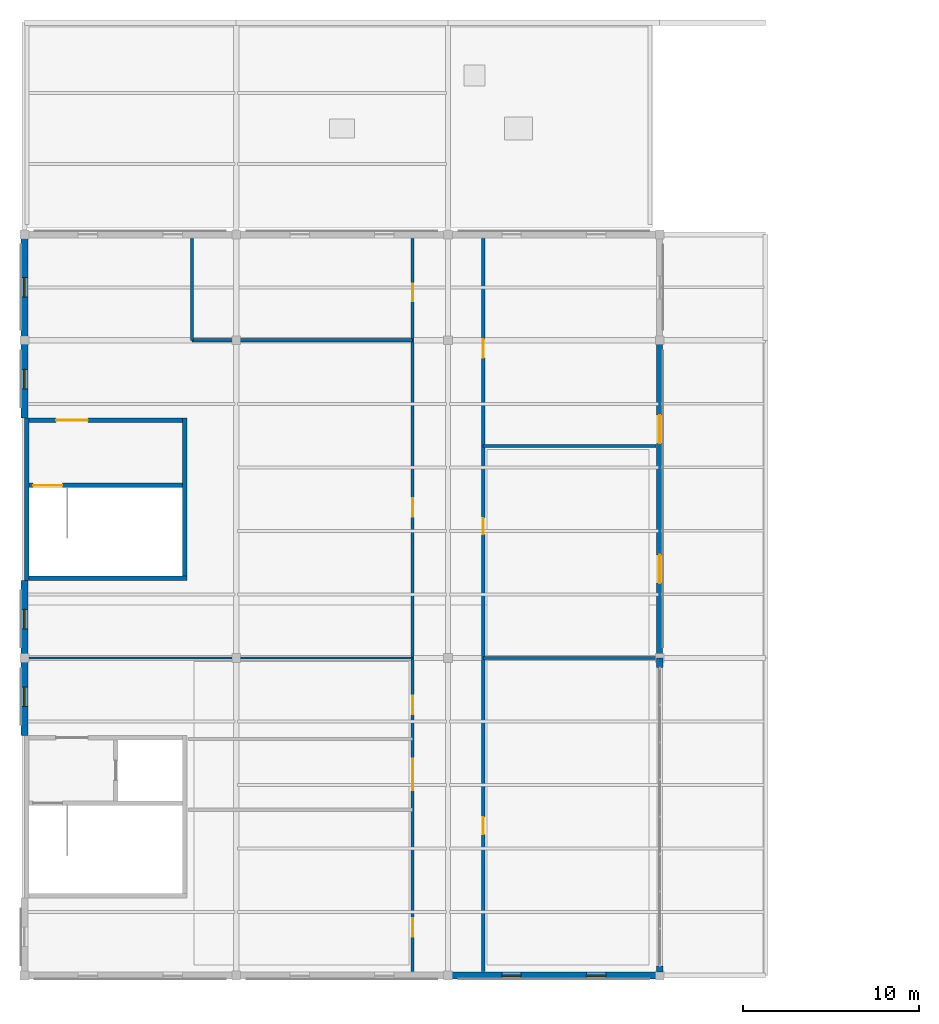
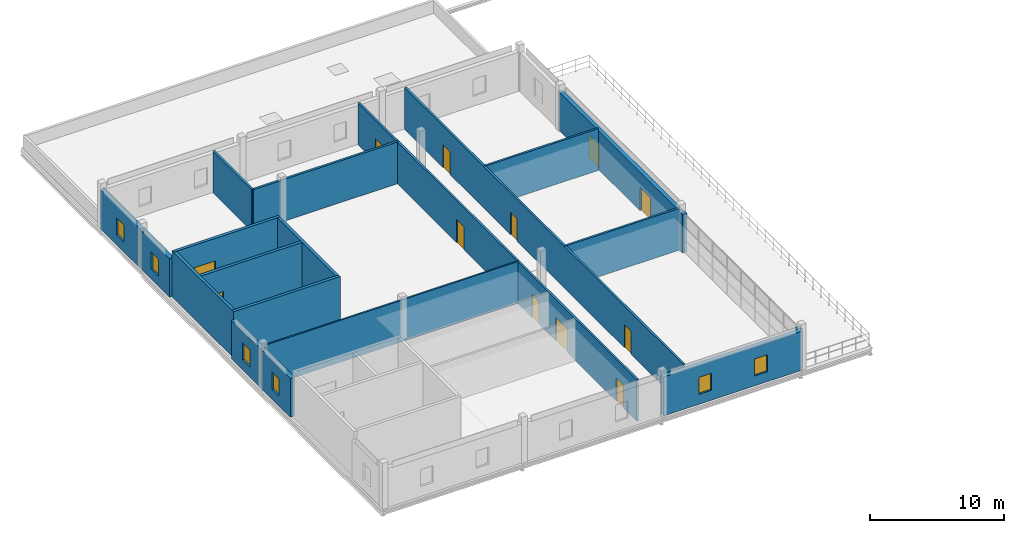
# One storey, part 9 of 11: 20 walls, 12 doors, 6 windows, 18 openings.
"""IFC4 building model written with IfcOpenShell, lengths in metres."""

import ifcopenshell
import ifcopenshell.guid

model = None  # the IFC model being written
_history = None  # IfcOwnerHistory: only IFC2X3 demands one
_inside = {}  # id of a spatial element -> (the spatial element, [elements in it])
_under = {}  # id of a project, library or spatial element -> (it, [spatial elements below it])
_declared = {}  # id of a project -> (the project, [libraries it declares])
_typed = {}  # id of a type object -> (the type object, [elements of that type])
_made_of = {}  # id of a material, layer set ... -> (it, [elements and type objects made of it])


def new_model(schema):
    """Start an empty IFC model of exactly this schema.

    Asked for "IFC4X3", IfcOpenShell would pick the latest addendum, in which some entities
    have other attributes; the version numbers below select the first issue.
    IFC2X3 requires an IfcOwnerHistory on every rooted entity: one is made here for all.
    """
    global model, _history
    if schema == "IFC4X3":
        model = ifcopenshell.file(schema_version=(4, 3, 0, 0))
    else:
        model = ifcopenshell.file(schema=schema)
    _inside.clear()
    _under.clear()
    _declared.clear()
    _typed.clear()
    _made_of.clear()
    _history = None
    if model.schema == "IFC2X3":
        org = make("IfcOrganization", Name="unknown")
        user = make(
            "IfcPersonAndOrganization",
            ThePerson=make("IfcPerson", FamilyName="unknown"),
            TheOrganization=org,
        )
        app = make(
            "IfcApplication",
            ApplicationDeveloper=org,
            Version="unknown",
            ApplicationFullName="unknown",
            ApplicationIdentifier="unknown",
        )
        _history = make(
            "IfcOwnerHistory",
            OwningUser=user,
            OwningApplication=app,
            ChangeAction="ADDED",
            CreationDate=0,
        )
    return model


def make(cls, **values):
    """One entity of the class cls with the attributes given. An attribute that is None is left unset."""
    return model.create_entity(
        cls, **{name: value for name, value in values.items() if value is not None}
    )


def rooted(cls, **values):
    """An entity with a GlobalId (a new one), such as an element, a storey or a relation."""
    return make(cls, GlobalId=ifcopenshell.guid.new(), OwnerHistory=_history, **values)


def si_unit(unit_type, name, prefix=None):
    """IfcSIUnit, for example si_unit("LENGTHUNIT", "METRE", prefix="MILLI")."""
    return make("IfcSIUnit", UnitType=unit_type, Prefix=prefix, Name=name)


def assignment(units):
    """IfcUnitAssignment: the units of a project."""
    return None if units is None else make("IfcUnitAssignment", Units=units)


def point(xyz):
    """IfcCartesianPoint."""
    return None if xyz is None else make("IfcCartesianPoint", Coordinates=xyz)


def direction(xyz):
    """IfcDirection."""
    return None if xyz is None else make("IfcDirection", DirectionRatios=xyz)


def frame(location, z_axis=None, x_axis=None):
    """IfcAxis2Placement3D, a coordinate frame: its origin and axes. An axis left out is left unset."""
    return make(
        "IfcAxis2Placement3D",
        Location=point(location),
        Axis=direction(z_axis),
        RefDirection=direction(x_axis),
    )


def frame_2d(location, x_axis=None):
    """IfcAxis2Placement2D, a coordinate frame in the plane: its origin and x axis."""
    return make(
        "IfcAxis2Placement2D", Location=point(location), RefDirection=direction(x_axis)
    )


def origin():
    """The frame at (0, 0, 0) with its axes left unset."""
    return frame((0.0, 0.0, 0.0))


def place(relative_to, where):
    """IfcLocalPlacement: puts the frame where relative to a parent placement (None: the world)."""
    return make(
        "IfcLocalPlacement", PlacementRelTo=relative_to, RelativePlacement=where
    )


def context(
    kind, dimensions, precision=None, world=None, true_north=None, identifier=None
):
    """IfcGeometricRepresentationContext, for example the 3D "Model" context."""
    return make(
        "IfcGeometricRepresentationContext",
        ContextIdentifier=identifier,
        ContextType=kind,
        CoordinateSpaceDimension=dimensions,
        Precision=precision,
        WorldCoordinateSystem=world,
        TrueNorth=true_north,
    )


def subcontext(parent, identifier, kind, view, scale=None):
    """IfcGeometricRepresentationSubContext, for example "Body" below "Model"."""
    return make(
        "IfcGeometricRepresentationSubContext",
        ContextIdentifier=identifier,
        ContextType=kind,
        ParentContext=parent,
        TargetScale=scale,
        TargetView=view,
    )


def project(units=None, contexts=None):
    """IfcProject with its units and contexts."""
    return rooted(
        "IfcProject",
        Name="project",
        RepresentationContexts=contexts,
        UnitsInContext=assignment(units),
    )


def spatial(cls, under=None, at=None, **own):
    """A site, building, storey or space (cls), placed at a placement, below another one or the project."""
    s = rooted(cls, ObjectPlacement=at, **own)
    if under is not None:
        _under.setdefault(under.id(), (under, []))[1].append(s)
    return s


def profile(cls, at=None, kind="AREA", **sizes):
    """A parametric profile (cls). Its sizes go by their IFC names, for example OverallWidth=200.0."""
    return make(cls, ProfileType=kind, Position=at, **sizes)


def rectangle(**sizes):
    """IfcRectangleProfileDef."""
    return profile("IfcRectangleProfileDef", **sizes)


def extrude(swept, where, along, depth):
    """IfcExtrudedAreaSolid: the profile swept, set in the frame where, extruded along a direction by depth."""
    return make(
        "IfcExtrudedAreaSolid",
        SweptArea=swept,
        Position=where,
        ExtrudedDirection=direction(along),
        Depth=depth,
    )


def shape(context_of_items, identifier, shape_type, items):
    """IfcShapeRepresentation: the items that make up one representation, for example the "Body"."""
    return make(
        "IfcShapeRepresentation",
        ContextOfItems=context_of_items,
        RepresentationIdentifier=identifier,
        RepresentationType=shape_type,
        Items=items,
    )


def material(Name=None, Category=None):
    """IfcMaterial."""
    return make("IfcMaterial", Name=Name, Category=Category)


def layer(
    of_material, thickness, ventilated=None, Name=None, Category=None, Priority=None
):
    """IfcMaterialLayer: one layer of a wall or slab, of a material (None: an air gap)."""
    return make(
        "IfcMaterialLayer",
        Material=of_material,
        LayerThickness=thickness,
        IsVentilated=ventilated,
        Name=Name,
        Category=Category,
        Priority=Priority,
    )


def layer_set(layers, Name=None):
    """IfcMaterialLayerSet."""
    return make("IfcMaterialLayerSet", MaterialLayers=layers, LayerSetName=Name)


def made_of(thing, what):
    """Note that an element or type object is made of a material, layer set ...; save() writes the relation."""
    if what is not None:
        _made_of.setdefault(what.id(), (what, []))[1].append(thing)
    return thing


def type_object(cls, material=None, **own):
    """A type object (cls), such as IfcWallType, which elements share."""
    return made_of(rooted(cls, **own), material)


def element(
    cls,
    number,
    at=None,
    inside=None,
    cuts=None,
    type_object=None,
    material=None,
    context=None,
    identifier="Body",
    shape_type=None,
    held_by="IfcProductDefinitionShape",
    body=None,
    shapes=None,
    **own,
):
    """One element of the class cls, such as IfcWall. Its Tag is "e" and its number.

    at: its placement. inside: the storey or other place that contains it. cuts: it is an
    opening in that element (IfcRelVoidsElement). A single representation is given by context,
    identifier, shape_type and body (its items); several are given by shapes. held_by: the class
    of the entity that holds the representations. save() writes the other relations.
    """
    e = rooted(cls, Tag="e%d" % number, ObjectPlacement=at, **own)
    if body is not None:
        shapes = [shape(context, identifier, shape_type, body)]
    if shapes is not None:
        e.Representation = make(held_by, Representations=shapes)
    if inside is not None:
        _inside.setdefault(inside.id(), (inside, []))[1].append(e)
    if cuts is not None:
        rooted(
            "IfcRelVoidsElement", RelatingBuildingElement=cuts, RelatedOpeningElement=e
        )
    if type_object is not None:
        _typed.setdefault(type_object.id(), (type_object, []))[1].append(e)
    return made_of(e, material)


def fill(opening, filler):
    """IfcRelFillsElement: the door or window that sits in an opening."""
    return rooted(
        "IfcRelFillsElement",
        RelatingOpeningElement=opening,
        RelatedBuildingElement=filler,
    )


def aggregate(whole, parts):
    """IfcRelAggregates: a whole, such as a stair, and the parts it consists of."""
    return rooted("IfcRelAggregates", RelatingObject=whole, RelatedObjects=parts)


def save(model, path):
    """Write the relations noted so far, then the file.

    IfcRelAggregates (storeys below a building ...), IfcRelContainedInSpatialStructure (elements
    in a storey), IfcRelDefinesByType, IfcRelAssociatesMaterial and IfcRelDeclares: one each for
    every whole, place, type object, material and project.
    """
    for whole, parts in _under.values():
        aggregate(whole, parts)
    for where, things in _inside.values():
        rooted(
            "IfcRelContainedInSpatialStructure",
            RelatedElements=things,
            RelatingStructure=where,
        )
    for kind, things in _typed.values():
        rooted("IfcRelDefinesByType", RelatedObjects=things, RelatingType=kind)
    for what, things in _made_of.values():
        rooted("IfcRelAssociatesMaterial", RelatedObjects=things, RelatingMaterial=what)
    for by, libraries in _declared.values():
        rooted("IfcRelDeclares", RelatingContext=by, RelatedDefinitions=libraries)
    model.write(path)


model = new_model("IFC4")

# Units and contexts
model_context = context("Model", 3, precision=1e-05, world=origin(), true_north=direction((0.0, 1.0)))
body_context = subcontext(model_context, "Body", "Model", "MODEL_VIEW")
ifc_project = project(units=[si_unit("LENGTHUNIT", "METRE"), si_unit("AREAUNIT", "SQUARE_METRE"), si_unit("VOLUMEUNIT", "CUBIC_METRE"), si_unit("PLANEANGLEUNIT", "RADIAN"), si_unit("MASSUNIT", "GRAM", prefix="KILO")], contexts=[model_context])

# Site, building, storey
site_placement = place(None, origin())
site = spatial("IfcSite", under=ifc_project, at=site_placement, CompositionType="ELEMENT")
building_placement = place(site_placement, origin())
building = spatial("IfcBuilding", under=site, at=building_placement, Name="Zilviju Railside Exhibition Hall", CompositionType="ELEMENT")
storey_placement = place(building_placement, frame((0.0, 0.0, 16.800048828125)))
storey = spatial("IfcBuildingStorey", under=building, at=storey_placement, Name="L05", CompositionType="ELEMENT", Elevation=16.800048828125)

# Walls
ifc_material_1 = material(Name="Concrete C35/45", Category="concrete")
ifc_layer_1 = layer(ifc_material_1, 0.25)
ifc_layer_set_1 = layer_set([ifc_layer_1], Name="Concrete C35/45")
wall_type_1 = type_object("IfcWallType", Name="WL-CORE-250", PredefinedType="SHEAR", material=ifc_layer_set_1)
wall_1_placement = place(storey_placement, frame((0.0, 106.52490234375, 0.0), z_axis=(0.0, 0.0, 1.0), x_axis=(1.0, 0.0, 0.0)))
element("IfcWall", 1, at=wall_1_placement, inside=storey, type_object=wall_type_1, Name="Core C16 Organisers Wing North Stairwell Outer Wall L05", PredefinedType="SHEAR", context=body_context, shape_type="SweptSolid", body=[
    extrude(rectangle(XDim=9.199951171875, YDim=0.25, at=frame_2d((4.60009765625, 0.0))), origin(), (0.0, 0.0, 1.0), 4.199951171875),
])
wall_2_placement = place(storey_placement, frame((9.074951171875, 106.39990234375, 0.0), z_axis=(0.0, 0.0, 1.0), x_axis=(0.0, 1.0, 0.0)))
element("IfcWall", 2, at=wall_2_placement, inside=storey, type_object=wall_type_1, Name="Core C16 Organisers Wing North Core Rear Wall L05", PredefinedType="SHEAR", context=body_context, shape_type="SweptSolid", body=[
    extrude(rectangle(XDim=9.2001953125, YDim=0.25, at=frame_2d((4.60009765625, 0.0))), origin(), (0.0, 0.0, 1.0), 4.199951171875),
])

# Wall, opening, door
wall_3_placement = place(storey_placement, frame((0.0, 115.47509765625, 0.0), z_axis=(0.0, 0.0, 1.0), x_axis=(1.0, 0.0, 0.0)))
wall_3 = element("IfcWall", 3, at=wall_3_placement, inside=storey, type_object=wall_type_1, Name="Core C16 Organisers Wing North Lobby Side Wall L05", PredefinedType="SHEAR", context=body_context, shape_type="SweptSolid", body=[
    extrude(rectangle(XDim=9.199951171875, YDim=0.25, at=frame_2d((4.60009765625, 0.0))), origin(), (0.0, 0.0, 1.0), 4.199951171875),
])
opening_1_placement = place(wall_3_placement, frame((1.800048828125, 0.0, 0.0)))
opening_1 = element("IfcOpeningElement", 4, at=opening_1_placement, cuts=wall_3, Name="Opening FD-02", PredefinedType="OPENING", context=body_context, shape_type="SweptSolid", body=[
    extrude(rectangle(XDim=1.800048828125, YDim=2.14990234375, at=frame_2d((0.89990234375, 1.074951171875))), frame((0.0, 0.135009765625, 0.0), z_axis=(0.0, -1.0, 0.0), x_axis=(1.0, 0.0, 0.0)), (0.0, 0.0, 1.0), 0.27001953125),
])
ifc_material_2 = material(Name="Self-closing glazed steel core lobby fire door EI 60", Category="steel")
door_type_1 = type_object("IfcDoorType", Name="DR-LOBBY-180x215", OperationType="NOTDEFINED", PredefinedType="DOOR", material=ifc_material_2)
door_1_placement = place(opening_1_placement, origin())
door_1 = element("IfcDoor", 5, at=door_1_placement, inside=storey, type_object=door_type_1, Name="Core C16 Organisers Wing North Lobby Fire Door L05", OperationType="DOUBLE_DOOR_SINGLE_SWING", OverallHeight=2.14990234375, OverallWidth=1.800048828125, PredefinedType="DOOR", context=body_context, shape_type="SweptSolid", body=[
    extrude(rectangle(XDim=1.800048828125, YDim=2.14990234375, at=frame_2d((0.89990234375, 1.074951171875))), frame((0.0, 0.02490234375, 0.0), z_axis=(0.0, -1.0, 0.0), x_axis=(1.0, 0.0, 0.0)), (0.0, 0.0, 1.0), 0.050048828125),
])
fill(opening_1, door_1)

wall_4_placement = place(storey_placement, frame((0.25, 111.77490234375, 0.0), z_axis=(0.0, 0.0, 1.0), x_axis=(1.0, 0.0, 0.0)))
wall_4 = element("IfcWall", 6, at=wall_4_placement, inside=storey, type_object=wall_type_1, Name="Core C16 Organisers Wing North Stairwell Partition Wall L05", PredefinedType="SHEAR", context=body_context, shape_type="SweptSolid", body=[
    extrude(rectangle(XDim=8.699951171875, YDim=0.25, at=frame_2d((4.35009765625, 0.0))), origin(), (0.0, 0.0, 1.0), 4.199951171875),
])
opening_2_placement = place(wall_4_placement, frame((0.25, 0.0, 0.0)))
opening_2 = element("IfcOpeningElement", 7, at=opening_2_placement, cuts=wall_4, Name="Opening FD-01", PredefinedType="OPENING", context=body_context, shape_type="SweptSolid", body=[
    extrude(rectangle(XDim=1.64990234375, YDim=2.10009765625, at=frame_2d((0.824951171875, 1.050048828125))), frame((0.0, 0.135009765625, 0.0), z_axis=(0.0, -1.0, 0.0), x_axis=(1.0, 0.0, 0.0)), (0.0, 0.0, 1.0), 0.27001953125),
])
ifc_material_3 = material(Name="Self-closing steel stair enclosure fire door EI 60", Category="steel")
door_type_2 = type_object("IfcDoorType", Name="DR-STAIR-165x210", OperationType="NOTDEFINED", PredefinedType="DOOR", material=ifc_material_3)
door_2_placement = place(opening_2_placement, origin())
door_2 = element("IfcDoor", 8, at=door_2_placement, inside=storey, type_object=door_type_2, Name="Core C16 Organisers Wing North Protected Stair Door L05", OperationType="SINGLE_SWING_RIGHT", OverallHeight=2.10009765625, OverallWidth=1.64990234375, PredefinedType="DOOR", context=body_context, shape_type="SweptSolid", body=[
    extrude(rectangle(XDim=1.64990234375, YDim=2.10009765625, at=frame_2d((0.824951171875, 1.050048828125))), frame((0.0, 0.02490234375, 0.0), z_axis=(0.0, -1.0, 0.0), x_axis=(1.0, 0.0, 0.0)), (0.0, 0.0, 1.0), 0.050048828125),
])
fill(opening_2, door_2)

# Wall
ifc_material_4 = material(Name="Concrete C40/50", Category="concrete")
ifc_layer_2 = layer(ifc_material_4, 0.25)
ifc_layer_set_2 = layer_set([ifc_layer_2], Name="Concrete C40/50")
wall_type_2 = type_object("IfcWallType", Name="WL-CORE-300", PredefinedType="SHEAR", material=ifc_layer_set_2)
wall_5_placement = place(storey_placement, frame((0.125, 106.39990234375, 0.0), z_axis=(0.0, 0.0, 1.0), x_axis=(0.0, 1.0, 0.0)))
element("IfcWall", 9, at=wall_5_placement, inside=storey, type_object=wall_type_2, Name="Core C16 Organisers Wing North Exterior Core Wall L05", PredefinedType="SHEAR", context=body_context, shape_type="SweptSolid", body=[
    extrude(rectangle(XDim=9.2001953125, YDim=0.25, at=frame_2d((4.60009765625, 0.0))), origin(), (0.0, 0.0, 1.0), 4.199951171875),
])

# Wall, openings, doors
ifc_material_5 = material(Name="Insulated terrace foyer masonry wall", Category="masonry")
ifc_layer_3 = layer(ifc_material_5, 0.340087890625)
ifc_layer_set_3 = layer_set([ifc_layer_3], Name="Insulated terrace foyer masonry wall")
wall_type_3 = type_object("IfcWallType", Name="WL-EXT-340", PredefinedType="SOLIDWALL", material=ifc_layer_set_3)
wall_6_placement = place(storey_placement, frame((36.0, 120.0, 0.0), z_axis=(0.0, 0.0, 1.0), x_axis=(0.0, -1.0, 0.0)))
wall_6 = element("IfcWall", 10, at=wall_6_placement, inside=storey, type_object=wall_type_3, Name="Exterior Facade Wall L05 East 0513", PredefinedType="SOLIDWALL", context=body_context, shape_type="SweptSolid", body=[
    extrude(rectangle(XDim=18.0, YDim=0.340087890625, at=frame_2d((9.0, 0.0))), origin(), (0.0, 0.0, 1.0), 3.52490234375),
])
opening_3_placement = place(wall_6_placement, frame((4.239990234375, 0.0, 0.0)))
opening_3 = element("IfcOpeningElement", 11, at=opening_3_placement, cuts=wall_6, Name="Opening TD-02", PredefinedType="OPENING", context=body_context, shape_type="SweptSolid", body=[
    extrude(rectangle(XDim=1.60009765625, YDim=2.14990234375, at=frame_2d((0.800048828125, 1.074951171875))), frame((0.0, 0.179931640625, 0.0), z_axis=(0.0, -1.0, 0.0), x_axis=(1.0, 0.0, 0.0)), (0.0, 0.0, 1.0), 0.360107421875),
])
opening_4_placement = place(wall_6_placement, frame((12.159912109375, 0.0, 0.0)))
opening_4 = element("IfcOpeningElement", 12, at=opening_4_placement, cuts=wall_6, Name="Opening TD-02", PredefinedType="OPENING", context=body_context, shape_type="SweptSolid", body=[
    extrude(rectangle(XDim=1.60009765625, YDim=2.14990234375, at=frame_2d((0.800048828125, 1.074951171875))), frame((0.0, 0.179931640625, 0.0), z_axis=(0.0, -1.0, 0.0), x_axis=(1.0, 0.0, 0.0)), (0.0, 0.0, 1.0), 0.360107421875),
])
ifc_material_6 = material(Name="Triple-glazed terrace lounge door", Category="steel")
door_type_3 = type_object("IfcDoorType", Name="DR-EXT-TERR-160x215", OperationType="NOTDEFINED", PredefinedType="DOOR", material=ifc_material_6)
door_3_placement = place(opening_3_placement, origin())
door_3 = element("IfcDoor", 13, at=door_3_placement, inside=storey, type_object=door_type_3, Name="Directorate L05 East Roof Garden Door TD-V5-L05", OperationType="DOUBLE_DOOR_SINGLE_SWING", OverallHeight=2.14990234375, OverallWidth=1.60009765625, PredefinedType="DOOR", context=body_context, shape_type="SweptSolid", body=[
    extrude(rectangle(XDim=1.60009765625, YDim=2.14990234375, at=frame_2d((0.800048828125, 1.074951171875))), frame((0.0, 0.02490234375, 0.0), z_axis=(0.0, -1.0, 0.0), x_axis=(1.0, 0.0, 0.0)), (0.0, 0.0, 1.0), 0.050048828125),
])
fill(opening_3, door_3)
door_4_placement = place(opening_4_placement, origin())
door_4 = element("IfcDoor", 14, at=door_4_placement, inside=storey, type_object=door_type_3, Name="Directorate L05 East Roof Garden Door TD-V5-L05", OperationType="DOUBLE_DOOR_SINGLE_SWING", OverallHeight=2.14990234375, OverallWidth=1.60009765625, PredefinedType="DOOR", context=body_context, shape_type="SweptSolid", body=[
    extrude(rectangle(XDim=1.60009765625, YDim=2.14990234375, at=frame_2d((0.800048828125, 1.074951171875))), frame((0.0, 0.02490234375, 0.0), z_axis=(0.0, -1.0, 0.0), x_axis=(1.0, 0.0, 0.0)), (0.0, 0.0, 1.0), 0.050048828125),
])
fill(opening_4, door_4)

# Wall, opening, window
ifc_material_7 = material(Name="Insulated cream-brick upper facade wall", Category="masonry")
ifc_layer_4 = layer(ifc_material_7, 0.3798828125)
ifc_layer_set_4 = layer_set([ifc_layer_4], Name="Insulated cream-brick upper facade wall")
wall_type_4 = type_object("IfcWallType", Name="WL-EXT-380", PredefinedType="SOLIDWALL", material=ifc_layer_set_4)
wall_7_placement = place(storey_placement, frame((0.0, 97.60009765625, 0.0), z_axis=(0.0, 0.0, 1.0), x_axis=(0.0, 1.0, 0.0)))
wall_7 = element("IfcWall", 15, at=wall_7_placement, inside=storey, type_object=wall_type_4, Name="Exterior Facade Wall L05 West 0507", PredefinedType="SOLIDWALL", context=body_context, shape_type="SweptSolid", body=[
    extrude(rectangle(XDim=4.39990234375, YDim=0.3798828125, at=frame_2d((2.199951171875, 0.0))), origin(), (0.0, 0.0, 1.0), 3.52490234375),
])
opening_5_placement = place(wall_7_placement, frame((1.64990234375, 0.0, 0.89990234375)))
opening_5 = element("IfcOpeningElement", 16, at=opening_5_placement, cuts=wall_7, Name="Opening WN-10", PredefinedType="OPENING", context=body_context, shape_type="SweptSolid", body=[
    extrude(rectangle(XDim=1.10009765625, YDim=1.550048828125, at=frame_2d((0.550048828125, 0.77490234375))), frame((0.0, 0.199951171875, 0.0), z_axis=(0.0, -1.0, 0.0), x_axis=(1.0, 0.0, 0.0)), (0.0, 0.0, 1.0), 0.39990234375),
])
ifc_material_8 = material(Name="Triple-glazed timber-aluminium window unit", Category="wood")
window_type = type_object("IfcWindowType", Name="WIN-ATT-110x155", PartitioningType="SINGLE_PANEL", PredefinedType="WINDOW", material=ifc_material_8)
window_1_placement = place(opening_5_placement, origin())
window_1 = element("IfcWindow", 17, at=window_1_placement, inside=storey, type_object=window_type, Name="Facade Window L05 WN-0069", OverallHeight=1.550048828125, OverallWidth=1.10009765625, PartitioningType="SINGLE_PANEL", PredefinedType="WINDOW", context=body_context, shape_type="SweptSolid", body=[
    extrude(rectangle(XDim=1.10009765625, YDim=1.550048828125, at=frame_2d((0.550048828125, 0.77490234375))), frame((0.0, 0.030029296875, 0.0), z_axis=(0.0, -1.0, 0.0), x_axis=(1.0, 0.0, 0.0)), (0.0, 0.0, 1.0), 0.06005859375),
])
fill(opening_5, window_1)

wall_8_placement = place(storey_placement, frame((0.0, 102.0, 0.0), z_axis=(0.0, 0.0, 1.0), x_axis=(0.0, 1.0, 0.0)))
wall_8 = element("IfcWall", 18, at=wall_8_placement, inside=storey, type_object=wall_type_4, Name="Exterior Facade Wall L05 West 0508", PredefinedType="SOLIDWALL", context=body_context, shape_type="SweptSolid", body=[
    extrude(rectangle(XDim=4.39990234375, YDim=0.3798828125, at=frame_2d((2.199951171875, 0.0))), origin(), (0.0, 0.0, 1.0), 3.52490234375),
])
opening_6_placement = place(wall_8_placement, frame((1.64990234375, 0.0, 0.89990234375)))
opening_6 = element("IfcOpeningElement", 19, at=opening_6_placement, cuts=wall_8, Name="Opening WN-10", PredefinedType="OPENING", context=body_context, shape_type="SweptSolid", body=[
    extrude(rectangle(XDim=1.10009765625, YDim=1.550048828125, at=frame_2d((0.550048828125, 0.77490234375))), frame((0.0, 0.199951171875, 0.0), z_axis=(0.0, -1.0, 0.0), x_axis=(1.0, 0.0, 0.0)), (0.0, 0.0, 1.0), 0.39990234375),
])
window_2_placement = place(opening_6_placement, origin())
window_2 = element("IfcWindow", 20, at=window_2_placement, inside=storey, type_object=window_type, Name="Facade Window L05 WN-0070", OverallHeight=1.550048828125, OverallWidth=1.10009765625, PartitioningType="SINGLE_PANEL", PredefinedType="WINDOW", context=body_context, shape_type="SweptSolid", body=[
    extrude(rectangle(XDim=1.10009765625, YDim=1.550048828125, at=frame_2d((0.550048828125, 0.77490234375))), frame((0.0, 0.030029296875, 0.0), z_axis=(0.0, -1.0, 0.0), x_axis=(1.0, 0.0, 0.0)), (0.0, 0.0, 1.0), 0.06005859375),
])
fill(opening_6, window_2)

wall_9_placement = place(storey_placement, frame((0.0, 115.60009765625, 0.0), z_axis=(0.0, 0.0, 1.0), x_axis=(0.0, 1.0, 0.0)))
wall_9 = element("IfcWall", 21, at=wall_9_placement, inside=storey, type_object=wall_type_4, Name="Exterior Facade Wall L05 West 0509", PredefinedType="SOLIDWALL", context=body_context, shape_type="SweptSolid", body=[
    extrude(rectangle(XDim=4.39990234375, YDim=0.3798828125, at=frame_2d((2.199951171875, 0.0))), origin(), (0.0, 0.0, 1.0), 3.52490234375),
])
opening_7_placement = place(wall_9_placement, frame((1.64990234375, 0.0, 0.89990234375)))
opening_7 = element("IfcOpeningElement", 22, at=opening_7_placement, cuts=wall_9, Name="Opening WN-10", PredefinedType="OPENING", context=body_context, shape_type="SweptSolid", body=[
    extrude(rectangle(XDim=1.10009765625, YDim=1.550048828125, at=frame_2d((0.550048828125, 0.77490234375))), frame((0.0, 0.199951171875, 0.0), z_axis=(0.0, -1.0, 0.0), x_axis=(1.0, 0.0, 0.0)), (0.0, 0.0, 1.0), 0.39990234375),
])
window_3_placement = place(opening_7_placement, origin())
window_3 = element("IfcWindow", 23, at=window_3_placement, inside=storey, type_object=window_type, Name="Facade Window L05 WN-0071", OverallHeight=1.550048828125, OverallWidth=1.10009765625, PartitioningType="SINGLE_PANEL", PredefinedType="WINDOW", context=body_context, shape_type="SweptSolid", body=[
    extrude(rectangle(XDim=1.10009765625, YDim=1.550048828125, at=frame_2d((0.550048828125, 0.77490234375))), frame((0.0, 0.030029296875, 0.0), z_axis=(0.0, -1.0, 0.0), x_axis=(1.0, 0.0, 0.0)), (0.0, 0.0, 1.0), 0.06005859375),
])
fill(opening_7, window_3)

wall_10_placement = place(storey_placement, frame((0.0, 120.0, 0.0), z_axis=(0.0, 0.0, 1.0), x_axis=(0.0, 1.0, 0.0)))
wall_10 = element("IfcWall", 24, at=wall_10_placement, inside=storey, type_object=wall_type_4, Name="Exterior Facade Wall L05 West 0510", PredefinedType="SOLIDWALL", context=body_context, shape_type="SweptSolid", body=[
    extrude(rectangle(XDim=6.0, YDim=0.3798828125, at=frame_2d((3.0, 0.0))), origin(), (0.0, 0.0, 1.0), 3.52490234375),
])
opening_8_placement = place(wall_10_placement, frame((2.449951171875, 0.0, 0.89990234375)))
opening_8 = element("IfcOpeningElement", 25, at=opening_8_placement, cuts=wall_10, Name="Opening WN-10", PredefinedType="OPENING", context=body_context, shape_type="SweptSolid", body=[
    extrude(rectangle(XDim=1.10009765625, YDim=1.550048828125, at=frame_2d((0.550048828125, 0.77490234375))), frame((0.0, 0.199951171875, 0.0), z_axis=(0.0, -1.0, 0.0), x_axis=(1.0, 0.0, 0.0)), (0.0, 0.0, 1.0), 0.39990234375),
])
window_4_placement = place(opening_8_placement, origin())
window_4 = element("IfcWindow", 26, at=window_4_placement, inside=storey, type_object=window_type, Name="Facade Window L05 WN-0072", OverallHeight=1.550048828125, OverallWidth=1.10009765625, PartitioningType="SINGLE_PANEL", PredefinedType="WINDOW", context=body_context, shape_type="SweptSolid", body=[
    extrude(rectangle(XDim=1.10009765625, YDim=1.550048828125, at=frame_2d((0.550048828125, 0.77490234375))), frame((0.0, 0.030029296875, 0.0), z_axis=(0.0, -1.0, 0.0), x_axis=(1.0, 0.0, 0.0)), (0.0, 0.0, 1.0), 0.06005859375),
])
fill(opening_8, window_4)

# Walls
wall_11_placement = place(storey_placement, frame((36.0, 84.550048828125, 0.0), z_axis=(0.0, 0.0, 1.0), x_axis=(0.0, -1.0, 0.0)))
element("IfcWall", 27, at=wall_11_placement, inside=storey, type_object=wall_type_4, Name="Curtain-Wall Jamb Closure Pier L05 0511", PredefinedType="SOLIDWALL", context=body_context, shape_type="SweptSolid", body=[
    extrude(rectangle(XDim=0.358154296875, YDim=0.3798828125, at=frame_2d((0.17919921875, 0.0))), origin(), (0.0, 0.0, 1.0), 3.52490234375),
])
wall_12_placement = place(storey_placement, frame((36.0, 101.998046875, 0.0), z_axis=(0.0, 0.0, 1.0), x_axis=(0.0, -1.0, 0.0)))
element("IfcWall", 28, at=wall_12_placement, inside=storey, type_object=wall_type_4, Name="Curtain-Wall Jamb Closure Pier L05 0512", PredefinedType="SOLIDWALL", context=body_context, shape_type="SweptSolid", body=[
    extrude(rectangle(XDim=0.548095703125, YDim=0.3798828125, at=frame_2d((0.27392578125, 0.0))), origin(), (0.0, 0.0, 1.0), 3.52490234375),
])

# Wall, openings, windows
wall_13_placement = place(storey_placement, frame((36.0, 84.0, 0.0), z_axis=(0.0, 0.0, 1.0), x_axis=(-1.0, 0.0, 0.0)))
wall_13 = element("IfcWall", 29, at=wall_13_placement, inside=storey, type_object=wall_type_4, Name="Exterior Facade Wall L05 South 0519", PredefinedType="SOLIDWALL", context=body_context, shape_type="SweptSolid", body=[
    extrude(rectangle(XDim=12.0, YDim=0.3798828125, at=frame_2d((6.0, 0.0))), origin(), (0.0, 0.0, 1.0), 3.554931640625),
])
opening_9_placement = place(wall_13_placement, frame((3.050048828125, 0.0, 0.89990234375)))
opening_9 = element("IfcOpeningElement", 30, at=opening_9_placement, cuts=wall_13, Name="Opening WN-10", PredefinedType="OPENING", context=body_context, shape_type="SweptSolid", body=[
    extrude(rectangle(XDim=1.10009765625, YDim=1.550048828125, at=frame_2d((0.550048828125, 0.77490234375))), frame((0.0, 0.199951171875, 0.0), z_axis=(0.0, -1.0, 0.0), x_axis=(1.0, 0.0, 0.0)), (0.0, 0.0, 1.0), 0.39990234375),
])
opening_10_placement = place(wall_13_placement, frame((7.85009765625, 0.0, 0.89990234375)))
opening_10 = element("IfcOpeningElement", 31, at=opening_10_placement, cuts=wall_13, Name="Opening WN-10", PredefinedType="OPENING", context=body_context, shape_type="SweptSolid", body=[
    extrude(rectangle(XDim=1.10009765625, YDim=1.550048828125, at=frame_2d((0.550048828125, 0.77490234375))), frame((0.0, 0.199951171875, 0.0), z_axis=(0.0, -1.0, 0.0), x_axis=(1.0, 0.0, 0.0)), (0.0, 0.0, 1.0), 0.39990234375),
])
window_5_placement = place(opening_9_placement, origin())
window_5 = element("IfcWindow", 32, at=window_5_placement, inside=storey, type_object=window_type, Name="Facade Window L05 WN-0082", OverallHeight=1.550048828125, OverallWidth=1.10009765625, PartitioningType="SINGLE_PANEL", PredefinedType="WINDOW", context=body_context, shape_type="SweptSolid", body=[
    extrude(rectangle(XDim=1.10009765625, YDim=1.550048828125, at=frame_2d((0.550048828125, 0.77490234375))), frame((0.0, 0.030029296875, 0.0), z_axis=(0.0, -1.0, 0.0), x_axis=(1.0, 0.0, 0.0)), (0.0, 0.0, 1.0), 0.06005859375),
])
fill(opening_9, window_5)
window_6_placement = place(opening_10_placement, origin())
window_6 = element("IfcWindow", 33, at=window_6_placement, inside=storey, type_object=window_type, Name="Facade Window L05 WN-0083", OverallHeight=1.550048828125, OverallWidth=1.10009765625, PartitioningType="SINGLE_PANEL", PredefinedType="WINDOW", context=body_context, shape_type="SweptSolid", body=[
    extrude(rectangle(XDim=1.10009765625, YDim=1.550048828125, at=frame_2d((0.550048828125, 0.77490234375))), frame((0.0, 0.030029296875, 0.0), z_axis=(0.0, -1.0, 0.0), x_axis=(1.0, 0.0, 0.0)), (0.0, 0.0, 1.0), 0.06005859375),
])
fill(opening_10, window_6)

# Wall
ifc_material_9 = material(Name="Light office acoustic partition wall", Category="masonry")
ifc_layer_5 = layer(ifc_material_9, 0.135009765625)
ifc_layer_set_5 = layer_set([ifc_layer_5], Name="Light office acoustic partition wall")
wall_type_5 = type_object("IfcWallType", Name="WL-PART-135", PredefinedType="PARTITIONING", material=ifc_layer_set_5)
wall_14_placement = place(storey_placement, frame((0.219970703125, 102.0, 0.0), z_axis=(0.0, 0.0, 1.0), x_axis=(1.0, 0.0, 0.0)))
element("IfcWall", 34, at=wall_14_placement, inside=storey, type_object=wall_type_5, Name="Wing West Cross Wall L05 Y=102", PredefinedType="PARTITIONING", context=body_context, shape_type="SweptSolid", body=[
    extrude(rectangle(XDim=21.780029296875, YDim=0.135009765625, at=frame_2d((10.89013671875, 0.0))), origin(), (0.0, 0.0, 1.0), 3.800048828125),
])

# Wall, openings, doors
ifc_material_10 = material(Name="Acoustic conference partition wall", Category="masonry")
ifc_layer_6 = layer(ifc_material_10, 0.175048828125)
ifc_layer_set_6 = layer_set([ifc_layer_6], Name="Acoustic conference partition wall")
wall_type_6 = type_object("IfcWallType", Name="WL-PART-175", PredefinedType="PARTITIONING", material=ifc_layer_set_6)
wall_15_placement = place(storey_placement, frame((22.0, 84.219970703125, 0.0), z_axis=(0.0, 0.0, 1.0), x_axis=(0.0, 1.0, 0.0)))
wall_15 = element("IfcWall", 35, at=wall_15_placement, inside=storey, type_object=wall_type_6, Name="Wing West Corridor Wall L05", PredefinedType="PARTITIONING", context=body_context, shape_type="SweptSolid", body=[
    extrude(rectangle(XDim=41.56005859375, YDim=0.175048828125, at=frame_2d((20.780029296875, 0.0))), origin(), (0.0, 0.0, 1.0), 3.800048828125),
])
opening_11_placement = place(wall_15_placement, frame((1.97998046875, 0.0, 0.0)))
opening_11 = element("IfcOpeningElement", 36, at=opening_11_placement, cuts=wall_15, Name="Opening ID-02", PredefinedType="OPENING", context=body_context, shape_type="SweptSolid", body=[
    extrude(rectangle(XDim=1.050048828125, YDim=2.10009765625, at=frame_2d((0.52490234375, 1.050048828125))), frame((0.0, 0.097412109375, 0.0), z_axis=(0.0, -1.0, 0.0), x_axis=(1.0, 0.0, 0.0)), (0.0, 0.0, 1.0), 0.195068359375),
])
opening_12_placement = place(wall_15_placement, frame((10.280029296875, 0.0, 0.0)))
opening_12 = element("IfcOpeningElement", 37, at=opening_12_placement, cuts=wall_15, Name="Opening FD-02", PredefinedType="OPENING", context=body_context, shape_type="SweptSolid", body=[
    extrude(rectangle(XDim=1.800048828125, YDim=2.14990234375, at=frame_2d((0.89990234375, 1.074951171875))), frame((0.0, 0.097412109375, 0.0), z_axis=(0.0, -1.0, 0.0), x_axis=(1.0, 0.0, 0.0)), (0.0, 0.0, 1.0), 0.195068359375),
])
opening_13_placement = place(wall_15_placement, frame((14.580078125, 0.0, 0.0)))
opening_13 = element("IfcOpeningElement", 38, at=opening_13_placement, cuts=wall_15, Name="Opening ID-02", PredefinedType="OPENING", context=body_context, shape_type="SweptSolid", body=[
    extrude(rectangle(XDim=1.050048828125, YDim=2.10009765625, at=frame_2d((0.52490234375, 1.050048828125))), frame((0.0, 0.097412109375, 0.0), z_axis=(0.0, -1.0, 0.0), x_axis=(1.0, 0.0, 0.0)), (0.0, 0.0, 1.0), 0.195068359375),
])
opening_14_placement = place(wall_15_placement, frame((25.780029296875, 0.0, 0.0)))
opening_14 = element("IfcOpeningElement", 39, at=opening_14_placement, cuts=wall_15, Name="Opening ID-02", PredefinedType="OPENING", context=body_context, shape_type="SweptSolid", body=[
    extrude(rectangle(XDim=1.050048828125, YDim=2.10009765625, at=frame_2d((0.52490234375, 1.050048828125))), frame((0.0, 0.097412109375, 0.0), z_axis=(0.0, -1.0, 0.0), x_axis=(1.0, 0.0, 0.0)), (0.0, 0.0, 1.0), 0.195068359375),
])
opening_15_placement = place(wall_15_placement, frame((37.97998046875, 0.0, 0.0)))
opening_15 = element("IfcOpeningElement", 40, at=opening_15_placement, cuts=wall_15, Name="Opening WD-01", PredefinedType="OPENING", context=body_context, shape_type="SweptSolid", body=[
    extrude(rectangle(XDim=1.0, YDim=2.10009765625, at=frame_2d((0.5, 1.050048828125))), frame((0.0, 0.097412109375, 0.0), z_axis=(0.0, -1.0, 0.0), x_axis=(1.0, 0.0, 0.0)), (0.0, 0.0, 1.0), 0.195068359375),
])
door_5_placement = place(opening_12_placement, origin())
door_5 = element("IfcDoor", 41, at=door_5_placement, inside=storey, type_object=door_type_1, Name="West Core Corridor Fire Door L05", OperationType="DOUBLE_DOOR_SINGLE_SWING", OverallHeight=2.14990234375, OverallWidth=1.800048828125, PredefinedType="DOOR", context=body_context, shape_type="SweptSolid", body=[
    extrude(rectangle(XDim=1.800048828125, YDim=2.14990234375, at=frame_2d((0.89990234375, 1.074951171875))), frame((0.0, 0.02490234375, 0.0), z_axis=(0.0, -1.0, 0.0), x_axis=(1.0, 0.0, 0.0)), (0.0, 0.0, 1.0), 0.050048828125),
])
fill(opening_12, door_5)
ifc_material_11 = material(Name="Oak veneer meeting room single door", Category="wood")
door_type_4 = type_object("IfcDoorType", Name="DR-MTG-105x210", OperationType="NOTDEFINED", PredefinedType="DOOR", material=ifc_material_11)
door_6_placement = place(opening_11_placement, origin())
door_6 = element("IfcDoor", 42, at=door_6_placement, inside=storey, type_object=door_type_4, Name="Suite West South Door L05", OperationType="SINGLE_SWING_RIGHT", OverallHeight=2.10009765625, OverallWidth=1.050048828125, PredefinedType="DOOR", context=body_context, shape_type="SweptSolid", body=[
    extrude(rectangle(XDim=1.050048828125, YDim=2.10009765625, at=frame_2d((0.52490234375, 1.050048828125))), frame((0.0, 0.02490234375, 0.0), z_axis=(0.0, -1.0, 0.0), x_axis=(1.0, 0.0, 0.0)), (0.0, 0.0, 1.0), 0.050048828125),
])
fill(opening_11, door_6)
door_7_placement = place(opening_13_placement, origin())
door_7 = element("IfcDoor", 43, at=door_7_placement, inside=storey, type_object=door_type_4, Name="Suite West 1 Door L05", OperationType="SINGLE_SWING_LEFT", OverallHeight=2.10009765625, OverallWidth=1.050048828125, PredefinedType="DOOR", context=body_context, shape_type="SweptSolid", body=[
    extrude(rectangle(XDim=1.050048828125, YDim=2.10009765625, at=frame_2d((0.52490234375, 1.050048828125))), frame((0.0, 0.02490234375, 0.0), z_axis=(0.0, -1.0, 0.0), x_axis=(1.0, 0.0, 0.0)), (0.0, 0.0, 1.0), 0.050048828125),
])
fill(opening_13, door_7)
door_8_placement = place(opening_14_placement, origin())
door_8 = element("IfcDoor", 44, at=door_8_placement, inside=storey, type_object=door_type_4, Name="Suite West 2 Door L05", OperationType="SINGLE_SWING_RIGHT", OverallHeight=2.10009765625, OverallWidth=1.050048828125, PredefinedType="DOOR", context=body_context, shape_type="SweptSolid", body=[
    extrude(rectangle(XDim=1.050048828125, YDim=2.10009765625, at=frame_2d((0.52490234375, 1.050048828125))), frame((0.0, 0.02490234375, 0.0), z_axis=(0.0, -1.0, 0.0), x_axis=(1.0, 0.0, 0.0)), (0.0, 0.0, 1.0), 0.050048828125),
])
fill(opening_14, door_8)
ifc_material_12 = material(Name="Accessible WC outward-opening door", Category="wood")
door_type_5 = type_object("IfcDoorType", Name="DR-WC-ACC-100x210", OperationType="NOTDEFINED", PredefinedType="DOOR", material=ifc_material_12)
door_9_placement = place(opening_15_placement, origin())
door_9 = element("IfcDoor", 45, at=door_9_placement, inside=storey, type_object=door_type_5, Name="Wing L05 Accessible WC Door", OperationType="SINGLE_SWING_LEFT", OverallHeight=2.10009765625, OverallWidth=1.0, PredefinedType="DOOR", context=body_context, shape_type="SweptSolid", body=[
    extrude(rectangle(XDim=1.0, YDim=2.10009765625, at=frame_2d((0.5, 1.050048828125))), frame((0.0, 0.02490234375, 0.0), z_axis=(0.0, -1.0, 0.0), x_axis=(1.0, 0.0, 0.0)), (0.0, 0.0, 1.0), 0.050048828125),
])
fill(opening_15, door_9)

wall_16_placement = place(storey_placement, frame((26.0, 84.219970703125, 0.0), z_axis=(0.0, 0.0, 1.0), x_axis=(0.0, 1.0, 0.0)))
wall_16 = element("IfcWall", 46, at=wall_16_placement, inside=storey, type_object=wall_type_6, Name="Wing East Corridor Wall L05", PredefinedType="PARTITIONING", context=body_context, shape_type="SweptSolid", body=[
    extrude(rectangle(XDim=41.56005859375, YDim=0.175048828125, at=frame_2d((20.780029296875, 0.0))), origin(), (0.0, 0.0, 1.0), 3.800048828125),
])
opening_16_placement = place(wall_16_placement, frame((7.780029296875, 0.0, 0.0)))
opening_16 = element("IfcOpeningElement", 47, at=opening_16_placement, cuts=wall_16, Name="Opening ID-03", PredefinedType="OPENING", context=body_context, shape_type="SweptSolid", body=[
    extrude(rectangle(XDim=0.97998046875, YDim=2.10009765625, at=frame_2d((0.489990234375, 1.050048828125))), frame((0.0, 0.097412109375, 0.0), z_axis=(0.0, -1.0, 0.0), x_axis=(1.0, 0.0, 0.0)), (0.0, 0.0, 1.0), 0.195068359375),
])
opening_17_placement = place(wall_16_placement, frame((24.780029296875, 0.0, 0.0)))
opening_17 = element("IfcOpeningElement", 48, at=opening_17_placement, cuts=wall_16, Name="Opening ID-04", PredefinedType="OPENING", context=body_context, shape_type="SweptSolid", body=[
    extrude(rectangle(XDim=0.919921875, YDim=2.050048828125, at=frame_2d((0.4599609375, 1.02490234375))), frame((0.0, 0.097412109375, 0.0), z_axis=(0.0, -1.0, 0.0), x_axis=(1.0, 0.0, 0.0)), (0.0, 0.0, 1.0), 0.195068359375),
])
opening_18_placement = place(wall_16_placement, frame((34.780029296875, 0.0, 0.0)))
opening_18 = element("IfcOpeningElement", 49, at=opening_18_placement, cuts=wall_16, Name="Opening FD-06", PredefinedType="OPENING", context=body_context, shape_type="SweptSolid", body=[
    extrude(rectangle(XDim=1.050048828125, YDim=2.10009765625, at=frame_2d((0.52490234375, 1.050048828125))), frame((0.0, 0.097412109375, 0.0), z_axis=(0.0, -1.0, 0.0), x_axis=(1.0, 0.0, 0.0)), (0.0, 0.0, 1.0), 0.195068359375),
])
ifc_material_13 = material(Name="Timber interior office door", Category="wood")
door_type_6 = type_object("IfcDoorType", Name="DR-OFF-092x205", OperationType="NOTDEFINED", PredefinedType="DOOR", material=ifc_material_13)
door_10_placement = place(opening_17_placement, origin())
door_10 = element("IfcDoor", 50, at=door_10_placement, inside=storey, type_object=door_type_6, Name="Suite East 2 Door L05", OperationType="SINGLE_SWING_LEFT", OverallHeight=2.050048828125, OverallWidth=0.919921875, PredefinedType="DOOR", context=body_context, shape_type="SweptSolid", body=[
    extrude(rectangle(XDim=0.919921875, YDim=2.050048828125, at=frame_2d((0.4599609375, 1.02490234375))), frame((0.0, 0.02490234375, 0.0), z_axis=(0.0, -1.0, 0.0), x_axis=(1.0, 0.0, 0.0)), (0.0, 0.0, 1.0), 0.050048828125),
])
fill(opening_17, door_10)
ifc_material_14 = material(Name="Oak veneer administration single door", Category="wood")
door_type_7 = type_object("IfcDoorType", Name="DR-OFF-098x210", OperationType="NOTDEFINED", PredefinedType="DOOR", material=ifc_material_14)
door_11_placement = place(opening_16_placement, origin())
door_11 = element("IfcDoor", 51, at=door_11_placement, inside=storey, type_object=door_type_7, Name="Suite East 1 Door L05", OperationType="SINGLE_SWING_RIGHT", OverallHeight=2.10009765625, OverallWidth=0.97998046875, PredefinedType="DOOR", context=body_context, shape_type="SweptSolid", body=[
    extrude(rectangle(XDim=0.97998046875, YDim=2.10009765625, at=frame_2d((0.489990234375, 1.050048828125))), frame((0.0, 0.02490234375, 0.0), z_axis=(0.0, -1.0, 0.0), x_axis=(1.0, 0.0, 0.0)), (0.0, 0.0, 1.0), 0.050048828125),
])
fill(opening_16, door_11)
ifc_material_15 = material(Name="Steel telemetry & riser fire door EI 30", Category="steel")
door_type_8 = type_object("IfcDoorType", Name="DR-PLANT-105x210", OperationType="NOTDEFINED", PredefinedType="DOOR", material=ifc_material_15)
door_12_placement = place(opening_18_placement, origin())
door_12 = element("IfcDoor", 52, at=door_12_placement, inside=storey, type_object=door_type_8, Name="Telemetry Plant Door L05", OperationType="SINGLE_SWING_RIGHT", OverallHeight=2.10009765625, OverallWidth=1.050048828125, PredefinedType="DOOR", context=body_context, shape_type="SweptSolid", body=[
    extrude(rectangle(XDim=1.050048828125, YDim=2.10009765625, at=frame_2d((0.52490234375, 1.050048828125))), frame((0.0, 0.02490234375, 0.0), z_axis=(0.0, -1.0, 0.0), x_axis=(1.0, 0.0, 0.0)), (0.0, 0.0, 1.0), 0.050048828125),
])
fill(opening_18, door_12)

# Walls
for number, where, z_axis, x_axis, name in (
    (53, (26.0, 102.0, 0.0), (0.0, 0.0, 1.0), (1.0, 0.0, 0.0), "Wing East Cross Wall L05 Y=102"),
    (54, (26.0, 114.0, 0.0), (0.0, 0.0, 1.0), (1.0, 0.0, 0.0), "Wing East Cross Wall L05 Y=114"),
):
    element("IfcWall", number, at=place(storey_placement, frame(where, z_axis=z_axis, x_axis=x_axis)), inside=storey, type_object=wall_type_6, Name=name, PredefinedType="PARTITIONING", context=body_context, shape_type="SweptSolid", body=[
        extrude(rectangle(XDim=9.780029296875, YDim=0.175048828125, at=frame_2d((4.89013671875, 0.0))), origin(), (0.0, 0.0, 1.0), 3.800048828125),
    ])
ifc_material_16 = material(Name="Accessible WC sanitary chase wall", Category="masonry")
ifc_layer_7 = layer(ifc_material_16, 0.18994140625)
ifc_layer_set_7 = layer_set([ifc_layer_7], Name="Accessible WC sanitary chase wall")
wall_type_7 = type_object("IfcWallType", Name="WL-PLMB-190", PredefinedType="PLUMBINGWALL", material=ifc_layer_set_7)
wall_17_placement = place(storey_placement, frame((9.5, 120.0, 0.0), z_axis=(0.0, 0.0, 1.0), x_axis=(1.0, 0.0, 0.0)))
element("IfcWall", 55, at=wall_17_placement, inside=storey, type_object=wall_type_7, Name="Wing West Cross Wall L05 Y=120", PredefinedType="PLUMBINGWALL", context=body_context, shape_type="SweptSolid", body=[
    extrude(rectangle(XDim=12.5, YDim=0.18994140625, at=frame_2d((6.25, 0.0))), origin(), (0.0, 0.0, 1.0), 3.800048828125),
])
wall_18_placement = place(storey_placement, frame((9.5, 120.0, 0.0), z_axis=(0.0, 0.0, 1.0), x_axis=(0.0, 1.0, 0.0)))
element("IfcWall", 56, at=wall_18_placement, inside=storey, type_object=wall_type_7, Name="Wing WC West Wall L05", PredefinedType="PLUMBINGWALL", context=body_context, shape_type="SweptSolid", body=[
    extrude(rectangle(XDim=5.780029296875, YDim=0.18994140625, at=frame_2d((2.89013671875, 0.0))), origin(), (0.0, 0.0, 1.0), 3.800048828125),
])

save(model, "model.ifc")
